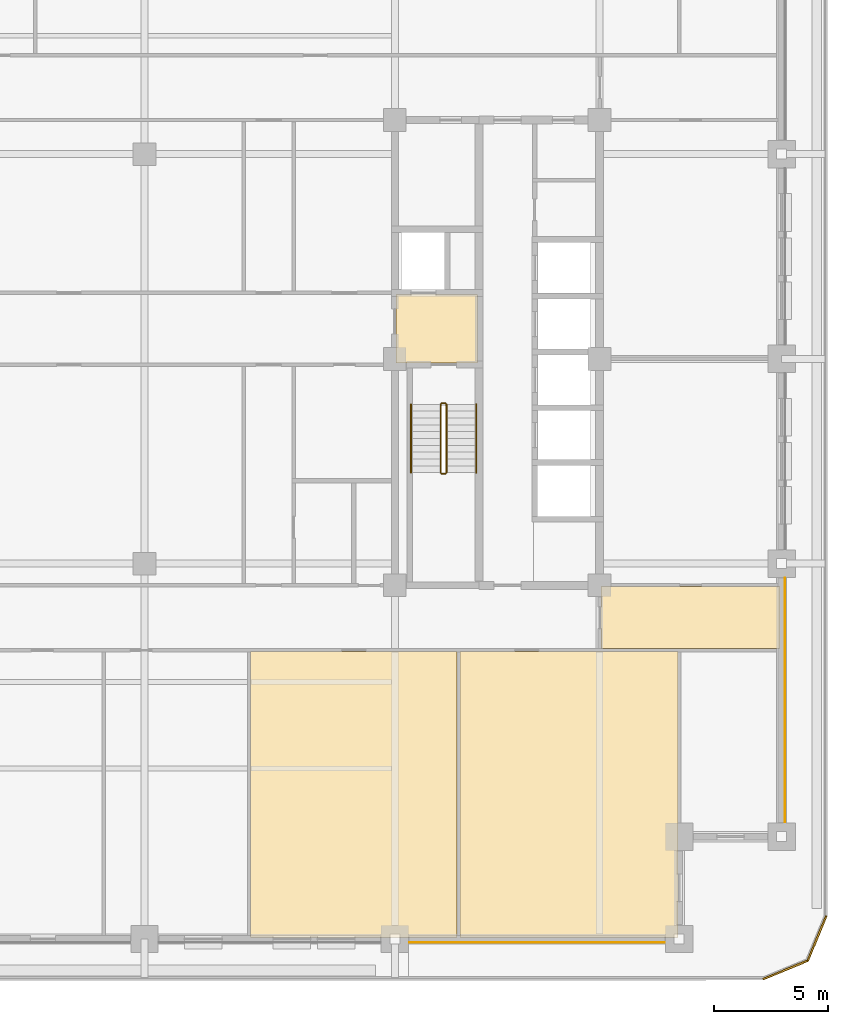
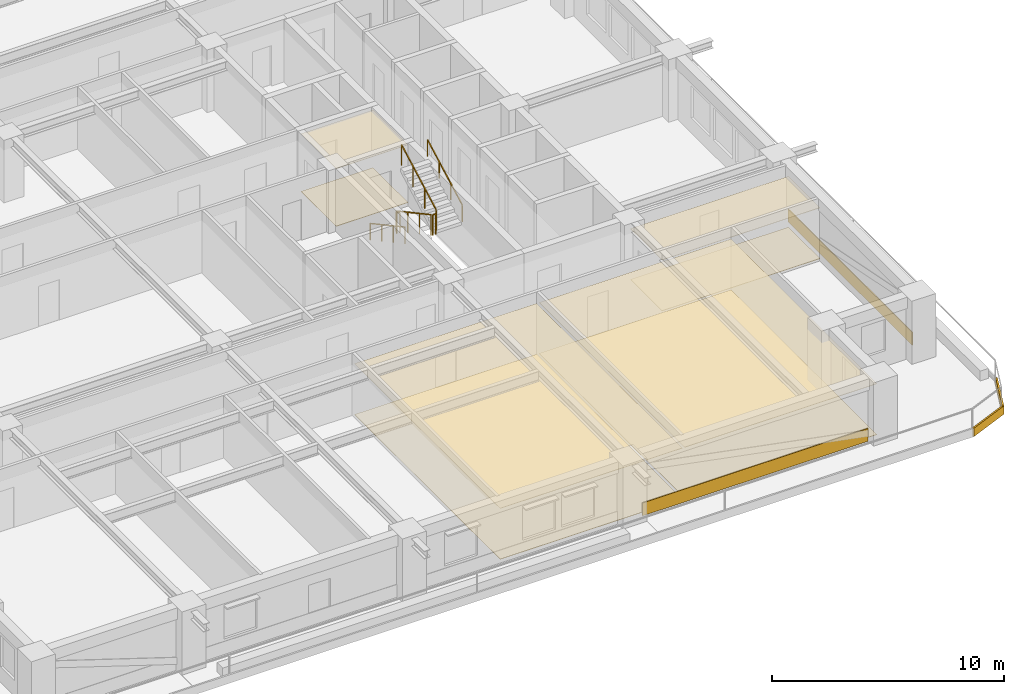
# One storey, part 12 of 13: 12 coverings, 6 railings.
"""IFC4 building model written with IfcOpenShell, lengths in metres."""

from ifc_helpers import new_model, si_unit, direction, frame, frame_2d, origin, origin_2d, place, context, subcontext, project, spatial, polyline, rectangle, outline, extrude, material, layer, layer_set, type_object, element, save


model = new_model("IFC4")

# Units and contexts
model_context = context("Model", 3, precision=1e-05, world=origin(), true_north=direction((0.0, 1.0)))
body_context = subcontext(model_context, "Body", "Model", "MODEL_VIEW")
ifc_project = project(units=[si_unit("LENGTHUNIT", "METRE"), si_unit("AREAUNIT", "SQUARE_METRE"), si_unit("VOLUMEUNIT", "CUBIC_METRE"), si_unit("PLANEANGLEUNIT", "RADIAN"), si_unit("MASSUNIT", "GRAM", prefix="KILO")], contexts=[model_context])

# Site, building, storey
site_placement = place(None, origin())
site = spatial("IfcSite", under=ifc_project, at=site_placement, CompositionType="ELEMENT")
building_placement = place(site_placement, origin())
building = spatial("IfcBuilding", under=site, at=building_placement, Name="Zulmaris Gate Convention Tower", CompositionType="ELEMENT")
storey_placement = place(building_placement, frame((0.0, 0.0, 109.2099609375)))
storey = spatial("IfcBuildingStorey", under=building, at=storey_placement, Name="L27", CompositionType="ELEMENT", Elevation=109.2099609375)

# Coverings
ifc_material_1 = material(Name="Precast concrete C40/50", Category="concrete")
ifc_layer_1 = layer(ifc_material_1, 0.0400390625, Name="Precast concrete C40/50")
ifc_layer_set_1 = layer_set([ifc_layer_1], Name="Precast concrete C40/50")
covering_type_1 = type_object("IfcCoveringType", Name="CLAD-SPANDREL-PRECAST", PredefinedType="CLADDING", material=ifc_layer_set_1)
covering_1_placement = place(storey_placement, frame((11.6298828125, -25.64990234375, 0.0), z_axis=(0.0, 0.0, 1.0), x_axis=(1.0, 0.0, 0.0)))
element("IfcCovering", 1, at=covering_1_placement, inside=storey, type_object=covering_type_1, Name="CLD-L27-S-3_0", PredefinedType="CLADDING", context=body_context, shape_type="SweptSolid", body=[
    extrude(rectangle(XDim=11.240234375, YDim=0.0400390625, at=frame_2d((5.6201171875, 0.0))), origin(), (0.0, 0.0, 1.0), 0.679931640625),
])
covering_2_placement = place(storey_placement, frame((28.14990234375, -20.3701171875, 0.0), z_axis=(0.0, 0.0, 1.0), x_axis=(0.0, 1.0, 0.0)))
element("IfcCovering", 2, at=covering_2_placement, inside=storey, type_object=covering_type_1, Name="CLD-L27-E-0_0", PredefinedType="CLADDING", context=body_context, shape_type="SweptSolid", body=[
    extrude(rectangle(XDim=10.740234375, YDim=0.0400390625, at=frame_2d((5.3701171875, 0.0))), origin(), (0.0, 0.0, 1.0), 0.679931640625),
])
ifc_material_2 = material(Name="White Glazed Architectural Precast Concrete C40/50", Category="concrete")
ifc_layer_2 = layer(ifc_material_2, 0.080078125, Name="White Glazed Architectural Precast Concrete C40/50")
ifc_layer_set_2 = layer_set([ifc_layer_2], Name="White Glazed Architectural Precast Concrete C40/50")
covering_type_2 = type_object("IfcCoveringType", Name="CLAD-TRAY-FASCIA", PredefinedType="CLADDING", material=ifc_layer_set_2)
covering_3_placement = place(storey_placement, frame((27.184814453125, -27.262939453125, -0.2900390625), z_axis=(0.0, 0.0, 1.0), x_axis=(0.923873803533, 0.382697263049, 0.0)))
element("IfcCovering", 3, at=covering_3_placement, inside=storey, type_object=covering_type_2, Name="FSC-L27-TR-03", PredefinedType="CLADDING", context=body_context, shape_type="SweptSolid", body=[
    extrude(rectangle(XDim=2.142822265625, YDim=0.080078125, at=frame_2d((1.0712890625, 0.0))), origin(), (0.0, 0.0, 1.0), 0.440185546875),
])
covering_4_placement = place(storey_placement, frame((29.142822265625, -26.464599609375, -0.2900390625), z_axis=(0.0, 0.0, 1.0), x_axis=(0.382656984709, 0.923890487046, 0.0)))
element("IfcCovering", 4, at=covering_4_placement, inside=storey, type_object=covering_type_2, Name="FSC-L27-TR-04", PredefinedType="CLADDING", context=body_context, shape_type="SweptSolid", body=[
    extrude(rectangle(XDim=2.14306640625, YDim=0.080078125, at=frame_2d((1.071533203125, 0.0))), origin(), (0.0, 0.0, 1.0), 0.440185546875),
])
ifc_material_3 = material(Name="Mineral Fibre Acoustic Ceiling Tile")
ifc_layer_3 = layer(ifc_material_3, 0.02001953125, Name="Mineral Fibre Acoustic Ceiling Tile")
ifc_layer_set_3 = layer_set([ifc_layer_3], Name="Mineral Fibre Acoustic Ceiling Tile")
covering_type_3 = type_object("IfcCoveringType", Name="CLG-ACOUSTIC-600", PredefinedType="CEILING", material=ifc_layer_set_3)
covering_5_placement = place(storey_placement, frame((0.0, 0.0, 3.0400390625)))
element("IfcCovering", 5, at=covering_5_placement, inside=storey, type_object=covering_type_3, Name="CLG-L27-R08", PredefinedType="CEILING", context=body_context, shape_type="SweptSolid", body=[
    extrude(outline(polyline([(11.06005859375, -0.18994140625), (14.639892578125, -0.18994140625), (14.639892578125, 2.840087890625), (11.06005859375, 2.840087890625), (11.06005859375, -0.18994140625)])), origin(), (0.0, 0.0, 1.0), 0.02001953125),
])
covering_6_placement = place(storey_placement, frame((0.0, 0.0, 2.679931640625)))
element("IfcCovering", 6, at=covering_6_placement, inside=storey, type_object=covering_type_3, Name="CLG-L27-R38", PredefinedType="CEILING", context=body_context, shape_type="SweptSolid", body=[
    extrude(outline(polyline([(4.659912109375, -25.43994140625), (13.739990234375, -25.43994140625), (13.739990234375, -12.860107421875), (4.659912109375, -12.860107421875), (4.659912109375, -25.43994140625)])), origin(), (0.0, 0.0, 1.0), 0.02001953125),
])
covering_7_placement = place(storey_placement, frame((0.0, 0.0, 2.679931640625)))
element("IfcCovering", 7, at=covering_7_placement, inside=storey, type_object=covering_type_3, Name="CLG-L27-R39", PredefinedType="CEILING", context=body_context, shape_type="SweptSolid", body=[
    extrude(outline(polyline([(13.860107421875, -25.43994140625), (23.43994140625, -25.43994140625), (23.43994140625, -12.860107421875), (13.860107421875, -12.860107421875), (13.860107421875, -25.43994140625)])), origin(), (0.0, 0.0, 1.0), 0.02001953125),
])
covering_8_placement = place(storey_placement, frame((0.0, 0.0, 2.679931640625)))
element("IfcCovering", 8, at=covering_8_placement, inside=storey, type_object=covering_type_3, Name="CLG-L27-R50", PredefinedType="CEILING", context=body_context, shape_type="SweptSolid", body=[
    extrude(outline(polyline([(20.06005859375, -12.739990234375), (27.93994140625, -12.739990234375), (27.93994140625, -10.010009765625), (20.06005859375, -10.010009765625), (20.06005859375, -12.739990234375)])), origin(), (0.0, 0.0, 1.0), 0.02001953125),
])
ifc_material_4 = material(Name="Woven Acoustic Wool Carpet Tile")
ifc_layer_4 = layer(ifc_material_4, 0.02001953125, Name="Woven Acoustic Wool Carpet Tile")
ifc_layer_set_4 = layer_set([ifc_layer_4], Name="Woven Acoustic Wool Carpet Tile")
covering_type_4 = type_object("IfcCoveringType", Name="FLR-CARPET-12", PredefinedType="FLOORING", material=ifc_layer_set_4)
covering_9_placement = place(storey_placement, origin())
element("IfcCovering", 9, at=covering_9_placement, inside=storey, type_object=covering_type_4, Name="FLR-L27-R08", PredefinedType="FLOORING", context=body_context, shape_type="SweptSolid", body=[
    extrude(outline(polyline([(11.06005859375, -0.18994140625), (14.639892578125, -0.18994140625), (14.639892578125, 2.840087890625), (11.06005859375, 2.840087890625), (11.06005859375, -0.18994140625)])), origin(), (0.0, 0.0, 1.0), 0.02001953125),
])
covering_10_placement = place(storey_placement, origin())
element("IfcCovering", 10, at=covering_10_placement, inside=storey, type_object=covering_type_4, Name="FLR-L27-R38", PredefinedType="FLOORING", context=body_context, shape_type="SweptSolid", body=[
    extrude(outline(polyline([(4.659912109375, -25.43994140625), (13.739990234375, -25.43994140625), (13.739990234375, -12.860107421875), (4.659912109375, -12.860107421875), (4.659912109375, -25.43994140625)])), origin(), (0.0, 0.0, 1.0), 0.02001953125),
])
covering_11_placement = place(storey_placement, origin())
element("IfcCovering", 11, at=covering_11_placement, inside=storey, type_object=covering_type_4, Name="FLR-L27-R39", PredefinedType="FLOORING", context=body_context, shape_type="SweptSolid", body=[
    extrude(outline(polyline([(13.860107421875, -25.43994140625), (23.43994140625, -25.43994140625), (23.43994140625, -12.860107421875), (13.860107421875, -12.860107421875), (13.860107421875, -25.43994140625)])), origin(), (0.0, 0.0, 1.0), 0.02001953125),
])
covering_12_placement = place(storey_placement, origin())
element("IfcCovering", 12, at=covering_12_placement, inside=storey, type_object=covering_type_4, Name="FLR-L27-R50", PredefinedType="FLOORING", context=body_context, shape_type="SweptSolid", body=[
    extrude(outline(polyline([(20.06005859375, -12.739990234375), (27.93994140625, -12.739990234375), (27.93994140625, -10.010009765625), (20.06005859375, -10.010009765625), (20.06005859375, -12.739990234375)])), origin(), (0.0, 0.0, 1.0), 0.02001953125),
])

# Railings
ifc_material_5 = material(Name="Painted Galvanised Steel", Category="steel")
railing_type_1 = type_object("IfcRailingType", Name="RL-STG-1150", PredefinedType="GUARDRAIL", material=ifc_material_5)
railing_1_placement = place(storey_placement, frame((13.010009765625, -2.0, 0.162353515625)))
element("IfcRailing", 13, at=railing_1_placement, inside=storey, type_object=railing_type_1, Name="L27 ST-2 stair guard 1", PredefinedType="GUARDRAIL", context=body_context, shape_type="SweptSolid", body=[
    extrude(rectangle(XDim=0.048095703125, YDim=0.048095703125, at=origin_2d()), frame((0.0, 0.0, 1.076171875), z_axis=(0.0, -0.8795616155, 0.475784998228), x_axis=(1.0, 0.0, 0.0)), (0.0, 0.0, 1.0), 3.410888671875),
    extrude(rectangle(XDim=0.0419921875, YDim=0.0419921875, at=origin_2d()), origin(), (0.0, 0.0, 1.0), 1.052001953125),
    extrude(rectangle(XDim=0.0419921875, YDim=0.0419921875, at=origin_2d()), frame((0.0, -1.0, 0.541015625)), (0.0, 0.0, 1.0), 1.052001953125),
    extrude(rectangle(XDim=0.0419921875, YDim=0.0419921875, at=origin_2d()), frame((0.0, -2.0, 1.081787109375)), (0.0, 0.0, 1.0), 1.052001953125),
    extrude(rectangle(XDim=0.0419921875, YDim=0.0419921875, at=origin_2d()), frame((0.0, -3.0, 1.622802734375)), (0.0, 0.0, 1.0), 1.052001953125),
])
railing_2_placement = place(storey_placement, frame((13.06005859375, -5.050048828125, 1.78515625)))
element("IfcRailing", 14, at=railing_2_placement, inside=storey, type_object=railing_type_1, Name="L27 ST-2 stair guard 2", PredefinedType="GUARDRAIL", context=body_context, shape_type="SweptSolid", body=[
    extrude(rectangle(XDim=0.048095703125, YDim=0.048095703125, at=origin_2d()), frame((0.0, 0.0, 1.076171875), z_axis=(1.0, 0.0, 0.0), x_axis=(0.0, 1.0, 0.0)), (0.0, 0.0, 1.0), 0.159912109375),
    extrude(rectangle(XDim=0.0419921875, YDim=0.0419921875, at=origin_2d()), origin(), (0.0, 0.0, 1.0), 1.052001953125),
    extrude(rectangle(XDim=0.0419921875, YDim=0.0419921875, at=origin_2d()), frame((0.159912109375, 0.0, 0.0)), (0.0, 0.0, 1.0), 1.052001953125),
])
railing_3_placement = place(storey_placement, frame((13.27001953125, -5.0, 1.947265625)))
element("IfcRailing", 15, at=railing_3_placement, inside=storey, type_object=railing_type_1, Name="L27 ST-2 stair guard 3", PredefinedType="GUARDRAIL", context=body_context, shape_type="SweptSolid", body=[
    extrude(rectangle(XDim=0.048095703125, YDim=0.048095703125, at=origin_2d()), frame((0.0, 0.0, 1.076171875), z_axis=(0.0, 0.8795616155, 0.475784998228), x_axis=(-1.0, 0.0, 0.0)), (0.0, 0.0, 1.0), 3.410888671875),
    extrude(rectangle(XDim=0.0419921875, YDim=0.0419921875, at=origin_2d()), origin(), (0.0, 0.0, 1.0), 1.052001953125),
    extrude(rectangle(XDim=0.0419921875, YDim=0.0419921875, at=origin_2d()), frame((0.0, 1.0, 0.541015625)), (0.0, 0.0, 1.0), 1.052001953125),
    extrude(rectangle(XDim=0.0419921875, YDim=0.0419921875, at=origin_2d()), frame((0.0, 2.0, 1.081787109375)), (0.0, 0.0, 1.0), 1.052001953125),
    extrude(rectangle(XDim=0.0419921875, YDim=0.0419921875, at=origin_2d()), frame((0.0, 3.0, 1.622802734375)), (0.0, 0.0, 1.0), 1.052001953125),
])
railing_4_placement = place(storey_placement, frame((13.06005859375, -1.949951171875, 0.0)))
element("IfcRailing", 16, at=railing_4_placement, inside=storey, type_object=railing_type_1, Name="L27 ST-2 stair guard 4", PredefinedType="GUARDRAIL", context=body_context, shape_type="SweptSolid", body=[
    extrude(rectangle(XDim=0.048095703125, YDim=0.048095703125, at=origin_2d()), frame((0.0, 0.0, 1.076171875), z_axis=(1.0, 0.0, 0.0), x_axis=(0.0, 1.0, 0.0)), (0.0, 0.0, 1.0), 0.159912109375),
    extrude(rectangle(XDim=0.0419921875, YDim=0.0419921875, at=origin_2d()), origin(), (0.0, 0.0, 1.0), 1.052001953125),
    extrude(rectangle(XDim=0.0419921875, YDim=0.0419921875, at=origin_2d()), frame((0.159912109375, 0.0, 0.0)), (0.0, 0.0, 1.0), 1.052001953125),
])
ifc_material_6 = material(Name="Brushed Stainless Steel", Category="steel")
railing_type_2 = type_object("IfcRailingType", Name="RL-STH-900", PredefinedType="HANDRAIL", material=ifc_material_6)
railing_5_placement = place(storey_placement, frame((11.7099609375, -2.0, 0.162353515625)))
element("IfcRailing", 17, at=railing_5_placement, inside=storey, type_object=railing_type_2, Name="L27 ST-2 stair handrail 1", PredefinedType="HANDRAIL", context=body_context, shape_type="SweptSolid", body=[
    extrude(rectangle(XDim=0.048095703125, YDim=0.048095703125, at=origin_2d()), frame((0.0, 0.0, 0.8759765625), z_axis=(0.0, -0.8795616155, 0.475784998228), x_axis=(1.0, 0.0, 0.0)), (0.0, 0.0, 1.0), 3.410888671875),
    extrude(rectangle(XDim=0.0419921875, YDim=0.0419921875, at=origin_2d()), origin(), (0.0, 0.0, 1.0), 0.851806640625),
    extrude(rectangle(XDim=0.0419921875, YDim=0.0419921875, at=origin_2d()), frame((0.0, -1.0, 0.541015625)), (0.0, 0.0, 1.0), 0.851806640625),
    extrude(rectangle(XDim=0.0419921875, YDim=0.0419921875, at=origin_2d()), frame((0.0, -2.0, 1.081787109375)), (0.0, 0.0, 1.0), 0.851806640625),
    extrude(rectangle(XDim=0.0419921875, YDim=0.0419921875, at=origin_2d()), frame((0.0, -3.0, 1.622802734375)), (0.0, 0.0, 1.0), 0.851806640625),
])
railing_6_placement = place(storey_placement, frame((14.570068359375, -5.0, 1.947265625)))
element("IfcRailing", 18, at=railing_6_placement, inside=storey, type_object=railing_type_2, Name="L27 ST-2 stair handrail 2", PredefinedType="HANDRAIL", context=body_context, shape_type="SweptSolid", body=[
    extrude(rectangle(XDim=0.048095703125, YDim=0.048095703125, at=origin_2d()), frame((0.0, 0.0, 0.8759765625), z_axis=(0.0, 0.8795616155, 0.475784998228), x_axis=(-1.0, 0.0, 0.0)), (0.0, 0.0, 1.0), 3.410888671875),
    extrude(rectangle(XDim=0.0419921875, YDim=0.0419921875, at=origin_2d()), origin(), (0.0, 0.0, 1.0), 0.851806640625),
    extrude(rectangle(XDim=0.0419921875, YDim=0.0419921875, at=origin_2d()), frame((0.0, 1.0, 0.541015625)), (0.0, 0.0, 1.0), 0.851806640625),
    extrude(rectangle(XDim=0.0419921875, YDim=0.0419921875, at=origin_2d()), frame((0.0, 2.0, 1.081787109375)), (0.0, 0.0, 1.0), 0.851806640625),
    extrude(rectangle(XDim=0.0419921875, YDim=0.0419921875, at=origin_2d()), frame((0.0, 3.0, 1.622802734375)), (0.0, 0.0, 1.0), 0.851806640625),
])

save(model, "model.ifc")
